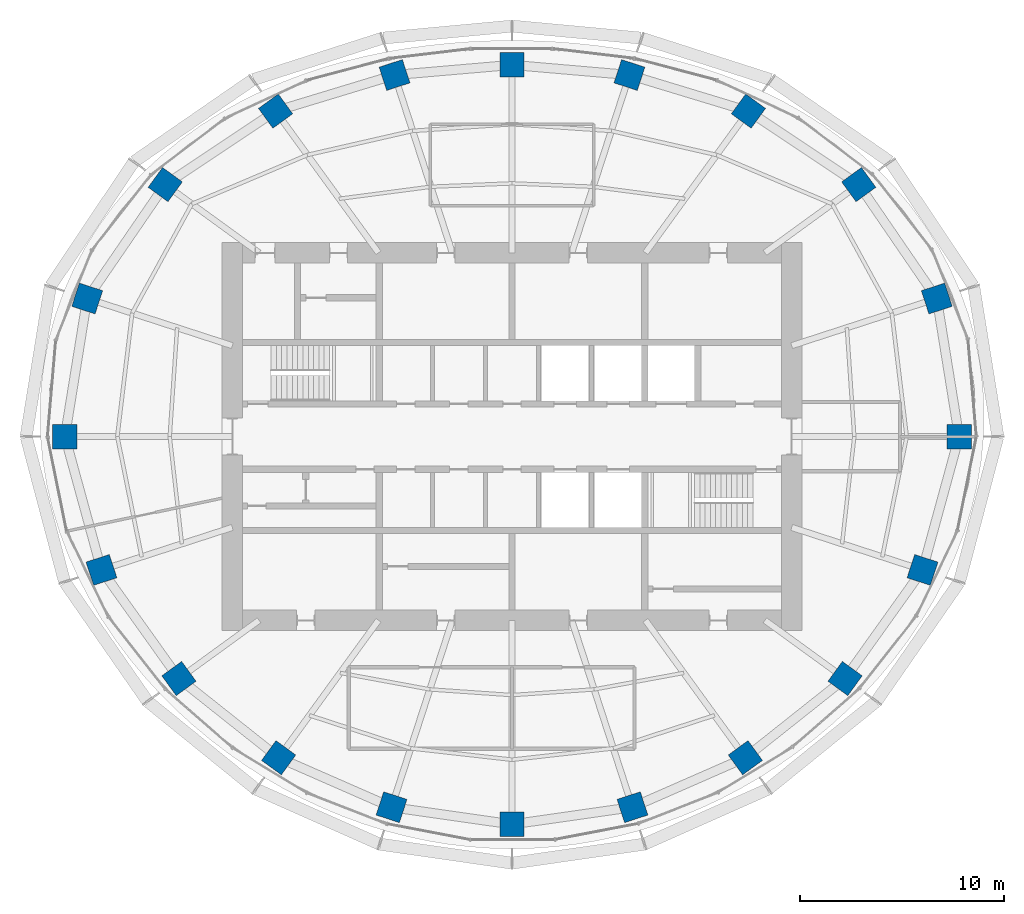
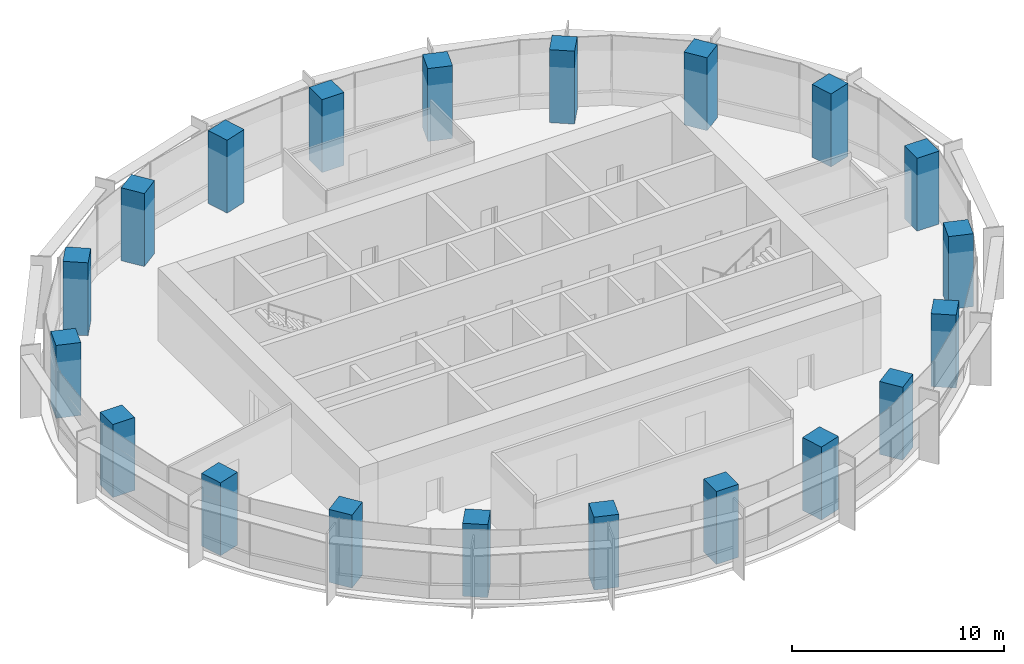
# One storey, part 1 of 13: 20 columns.
"""IFC4 building model written with IfcOpenShell, lengths in metres."""

from ifc_helpers import new_model, si_unit, direction, frame, origin, origin_2d, place, context, subcontext, project, spatial, rectangle, extrude, material, material_profile, profile_set, type_object, element, save


model = new_model("IFC4")

# Units and contexts
model_context = context("Model", 3, precision=1e-05, world=origin(), true_north=direction((0.0, 1.0)))
body_context = subcontext(model_context, "Body", "Model", "MODEL_VIEW")
ifc_project = project(units=[si_unit("LENGTHUNIT", "METRE"), si_unit("AREAUNIT", "SQUARE_METRE"), si_unit("VOLUMEUNIT", "CUBIC_METRE"), si_unit("PLANEANGLEUNIT", "RADIAN"), si_unit("MASSUNIT", "GRAM", prefix="KILO")], contexts=[model_context])

# Site, building, storey
site_placement = place(None, origin())
site = spatial("IfcSite", under=ifc_project, at=site_placement, CompositionType="ELEMENT")
building_placement = place(site_placement, origin())
building = spatial("IfcBuilding", under=site, at=building_placement, Name="Marramba Exchange Tower", CompositionType="ELEMENT")
storey_placement = place(building_placement, frame((0.0, 0.0, 272.800048828125)))
storey = spatial("IfcBuildingStorey", under=building, at=storey_placement, Name="L66", CompositionType="ELEMENT", Elevation=272.800048828125)

# Columns
ifc_material = material(Name="Concrete N50", Category="concrete")
ifc_material_profile = material_profile(ifc_material, rectangle(XDim=1.199951171875, YDim=1.199951171875, at=origin_2d()), Name="RC 1200x1200")
ifc_profile_set = profile_set([ifc_material_profile], Name="Concrete N50")
column_type = type_object("IfcColumnType", Name="Perimeter column RC 1200x1200 N50", PredefinedType="COLUMN", material=ifc_profile_set)
for number, where, z_axis, x_axis, name in (
    (1, (21.89990234375, 0.0, 0.0), (0.0, 0.0, 1.0), (1.0, 0.0, 0.0), "Column TC01 L66"),
    (2, (20.808349609375, 6.760986328125, 0.0), (0.0, 0.0, 1.0), (0.951056516295, 0.309016994375, 0.0), "Column TC02 L66"),
    (3, (16.98583984375, 12.3408203125, 0.0), (0.0, 0.0, 1.0), (0.809016994375, 0.587785252292, 0.0), "Column TC03 L66"),
    (4, (11.581298828125, 15.9404296875, 0.0), (0.0, 0.0, 1.0), (0.587785252292, 0.809016994375, 0.0), "Column TC04 L66"),
    (5, (5.75390625, 17.70849609375, 0.0), (0.0, 0.0, 1.0), (0.309016994375, 0.951056516295, 0.0), "Column TC05 L66"),
    (6, (0.0, 18.2041015625, 0.0), (0.0, 0.0, 1.0), (0.0, 1.0, 0.0), "Column TC06 L66"),
    (7, (-5.75390625, 17.70849609375, 0.0), (0.0, 0.0, 1.0), (-0.309016994375, 0.951056516295, 0.0), "Column TC07 L66"),
    (8, (-11.581298828125, 15.9404296875, 0.0), (0.0, 0.0, 1.0), (-0.587785252292, 0.809016994375, 0.0), "Column TC08 L66"),
    (9, (-16.98583984375, 12.3408203125, 0.0), (0.0, 0.0, 1.0), (-0.809016994375, 0.587785252292, 0.0), "Column TC09 L66"),
    (10, (-20.808349609375, 6.760986328125, 0.0), (0.0, 0.0, 1.0), (-0.951056516295, 0.309016994375, 0.0), "Column TC10 L66"),
    (11, (-21.89990234375, 0.0, 0.0), (0.0, 0.0, 1.0), (-1.0, 0.0, 0.0), "Column TC11 L66"),
    (12, (-20.109375, -6.533935546875, 0.0), (0.0, 0.0, 1.0), (-0.951056516295, -0.309016994375, 0.0), "Column TC12 L66"),
    (13, (-16.3154296875, -11.853759765625, 0.0), (0.0, 0.0, 1.0), (-0.809016994375, -0.587785252292, 0.0), "Column TC13 L66"),
    (14, (-11.430419921875, -15.732666015625, 0.0), (0.0, 0.0, 1.0), (-0.587785252292, -0.809016994375, 0.0), "Column TC14 L66"),
    (15, (-5.899658203125, -18.156982421875, 0.0), (0.0, 0.0, 1.0), (-0.309016994375, -0.951056516295, 0.0), "Column TC15 L66"),
    (16, (0.0, -18.99609375, 0.0), (0.0, 0.0, 1.0), (0.0, -1.0, 0.0), "Column TC16 L66"),
    (17, (5.899658203125, -18.156982421875, 0.0), (0.0, 0.0, 1.0), (0.309016994375, -0.951056516295, 0.0), "Column TC17 L66"),
    (18, (11.430419921875, -15.732666015625, 0.0), (0.0, 0.0, 1.0), (0.587785252292, -0.809016994375, 0.0), "Column TC18 L66"),
    (19, (16.3154296875, -11.853759765625, 0.0), (0.0, 0.0, 1.0), (0.809016994375, -0.587785252292, 0.0), "Column TC19 L66"),
    (20, (20.109375, -6.533935546875, 0.0), (0.0, 0.0, 1.0), (0.951056516295, -0.309016994375, 0.0), "Column TC20 L66"),
):
    element("IfcColumn", number, at=place(storey_placement, frame(where, z_axis=z_axis, x_axis=x_axis)), inside=storey, type_object=column_type, Name=name, PredefinedType="COLUMN", context=body_context, shape_type="SweptSolid", body=[
        extrude(rectangle(XDim=1.199951171875, YDim=1.199951171875, at=origin_2d()), origin(), (0.0, 0.0, 1.0), 4.199951171875),
    ])

save(model, "model.ifc")
